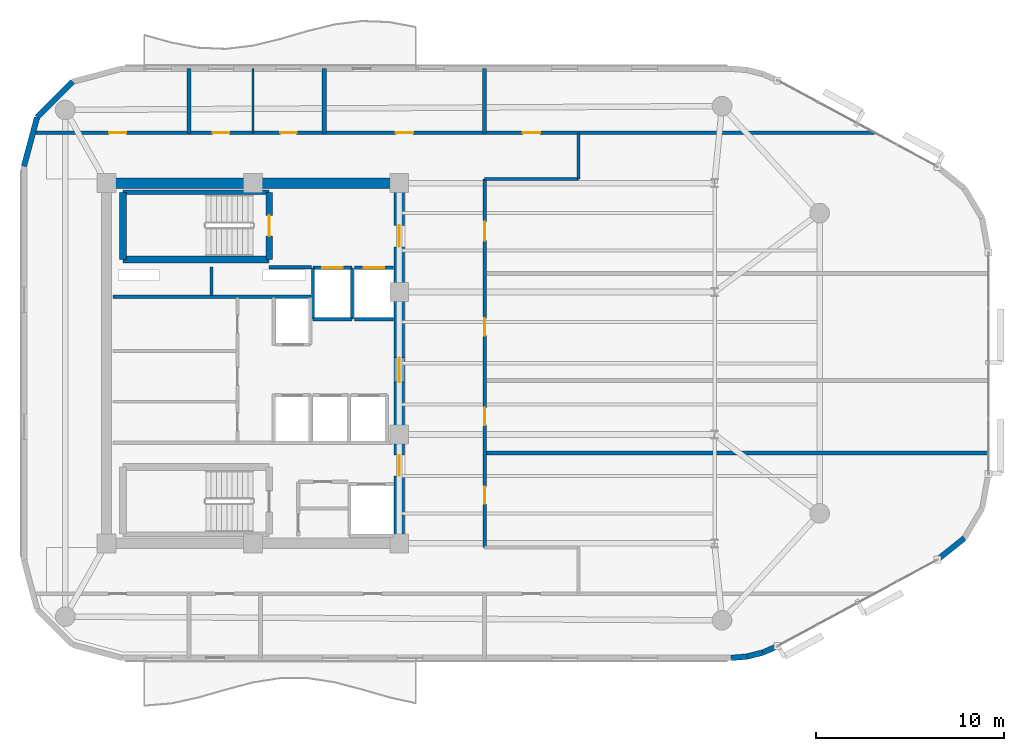
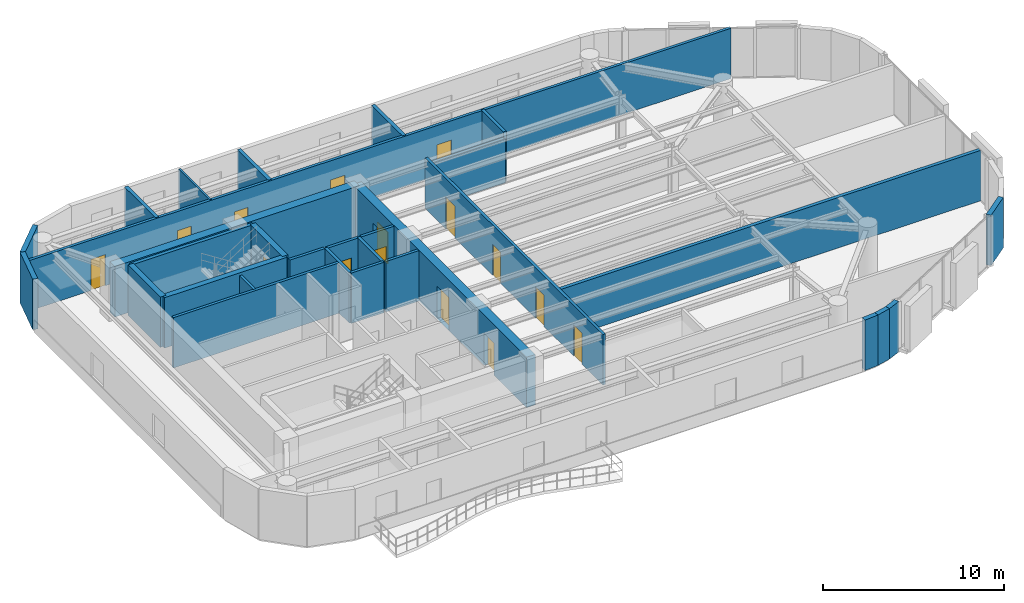
# One storey, part 10 of 13: 30 walls, 15 doors, 15 openings.
"""IFC4 building model written with IfcOpenShell, lengths in metres."""

from ifc_helpers import new_model, si_unit, direction, frame, frame_2d, origin, place, context, subcontext, project, spatial, rectangle, extrude, material, layer, layer_set, type_object, element, fill, save


model = new_model("IFC4")

# Units and contexts
model_context = context("Model", 3, precision=1e-05, world=origin(), true_north=direction((0.0, 1.0)))
body_context = subcontext(model_context, "Body", "Model", "MODEL_VIEW")
ifc_project = project(units=[si_unit("LENGTHUNIT", "METRE"), si_unit("AREAUNIT", "SQUARE_METRE"), si_unit("VOLUMEUNIT", "CUBIC_METRE"), si_unit("PLANEANGLEUNIT", "RADIAN"), si_unit("MASSUNIT", "GRAM", prefix="KILO")], contexts=[model_context])

# Site, building, storey
site_placement = place(None, origin())
site = spatial("IfcSite", under=ifc_project, at=site_placement, CompositionType="ELEMENT")
building_placement = place(site_placement, origin())
building = spatial("IfcBuilding", under=site, at=building_placement, Name="An Khanh Terracotta Commons", CompositionType="ELEMENT")
storey_placement = place(building_placement, frame((0.0, 0.0, 215.699951171875)))
storey = spatial("IfcBuildingStorey", under=building, at=storey_placement, Name="L56", CompositionType="ELEMENT", Elevation=215.699951171875)

# Wall
ifc_material_1 = material(Name="Concrete C50/60", Category="concrete")
ifc_layer_1 = layer(ifc_material_1, 0.550048828125, Name="Concrete C50/60")
ifc_layer_set_1 = layer_set([ifc_layer_1], Name="Concrete C50/60")
wall_type_1 = type_object("IfcWallType", Name="WALL-CORE-550", PredefinedType="SHEAR", material=ifc_layer_set_1)
wall_1_placement = place(storey_placement, frame((21.60009765625, 33.60009765625, 0.0), z_axis=(0.0, 0.0, 1.0), x_axis=(1.0, 0.0, 0.0)))
element("IfcWall", 1, at=wall_1_placement, inside=storey, type_object=wall_type_1, Name="L56 Core Wall CWALL-L56-N", PredefinedType="SHEAR", context=body_context, shape_type="SweptSolid", body=[
    extrude(rectangle(XDim=15.599853515625, YDim=0.550048828125, at=frame_2d((7.7998046875, 0.0))), origin(), (0.0, 0.0, 1.0), 3.400146484375),
])

# Wall, openings, doors
wall_2_placement = place(storey_placement, frame((37.199951171875, 14.39990234375, 0.0), z_axis=(0.0, 0.0, 1.0), x_axis=(0.0, 1.0, 0.0)))
wall_2 = element("IfcWall", 2, at=wall_2_placement, inside=storey, type_object=wall_type_1, Name="L56 Core Wall CWALL-L56-E", PredefinedType="SHEAR", context=body_context, shape_type="SweptSolid", body=[
    extrude(rectangle(XDim=19.2001953125, YDim=0.550048828125, at=frame_2d((9.60009765625, 0.0))), origin(), (0.0, 0.0, 1.0), 3.400146484375),
])
opening_1_placement = place(wall_2_placement, frame((15.800048828125, 0.0, 0.0)))
opening_1 = element("IfcOpeningElement", 3, at=opening_1_placement, cuts=wall_2, Name="Opening D-FFL", PredefinedType="OPENING", context=body_context, shape_type="SweptSolid", body=[
    extrude(rectangle(XDim=1.14990234375, YDim=2.14990234375, at=frame_2d((0.574951171875, 1.074951171875))), frame((0.0, 0.284912109375, 0.0), z_axis=(0.0, -1.0, 0.0), x_axis=(1.0, 0.0, 0.0)), (0.0, 0.0, 1.0), 0.570068359375),
])
opening_2_placement = place(wall_2_placement, frame((3.60009765625, 0.0, 0.0)))
opening_2 = element("IfcOpeningElement", 4, at=opening_2_placement, cuts=wall_2, Name="Opening D-ST", PredefinedType="OPENING", context=body_context, shape_type="SweptSolid", body=[
    extrude(rectangle(XDim=1.10009765625, YDim=2.14990234375, at=frame_2d((0.550048828125, 1.074951171875))), frame((0.0, 0.284912109375, 0.0), z_axis=(0.0, -1.0, 0.0), x_axis=(1.0, 0.0, 0.0)), (0.0, 0.0, 1.0), 0.570068359375),
])
opening_3_placement = place(wall_2_placement, frame((8.60009765625, 0.0, 0.0)))
opening_3 = element("IfcOpeningElement", 5, at=opening_3_placement, cuts=wall_2, Name="Opening D-COR", PredefinedType="OPENING", context=body_context, shape_type="SweptSolid", body=[
    extrude(rectangle(XDim=1.300048828125, YDim=2.199951171875, at=frame_2d((0.64990234375, 1.10009765625))), frame((0.0, 0.284912109375, 0.0), z_axis=(0.0, -1.0, 0.0), x_axis=(1.0, 0.0, 0.0)), (0.0, 0.0, 1.0), 0.570068359375),
])
ifc_material_2 = material(Name="Fire-Rated Glazed Steel Double Door", Category="steel")
door_type_1 = type_object("IfcDoorType", Name="DOOR-CORR-1300", OperationType="NOTDEFINED", PredefinedType="DOOR", material=ifc_material_2)
door_1_placement = place(opening_3_placement, origin())
door_1 = element("IfcDoor", 6, at=door_1_placement, inside=storey, type_object=door_type_1, Name="L56 Passenger Lift Lobby Double Door", OperationType="DOUBLE_DOOR_SINGLE_SWING", OverallHeight=2.199951171875, OverallWidth=1.300048828125, PredefinedType="DOOR", context=body_context, shape_type="SweptSolid", body=[
    extrude(rectangle(XDim=1.300048828125, YDim=2.199951171875, at=frame_2d((0.64990234375, 1.10009765625))), frame((0.0, 0.02490234375, 0.0), z_axis=(0.0, -1.0, 0.0), x_axis=(1.0, 0.0, 0.0)), (0.0, 0.0, 1.0), 0.050048828125),
])
fill(opening_3, door_1)
ifc_material_3 = material(Name="Fire-Rated Steel Leaf and Vision Panel", Category="steel")
door_type_2 = type_object("IfcDoorType", Name="DOOR-FFL-1150", OperationType="NOTDEFINED", PredefinedType="DOOR", material=ifc_material_3)
door_2_placement = place(opening_1_placement, origin())
door_2 = element("IfcDoor", 7, at=door_2_placement, inside=storey, type_object=door_type_2, Name="L56 Firefighting Lift Lobby Fire Door", OperationType="SINGLE_SWING_LEFT", OverallHeight=2.14990234375, OverallWidth=1.14990234375, PredefinedType="DOOR", context=body_context, shape_type="SweptSolid", body=[
    extrude(rectangle(XDim=1.14990234375, YDim=2.14990234375, at=frame_2d((0.574951171875, 1.074951171875))), frame((0.0, 0.02490234375, 0.0), z_axis=(0.0, -1.0, 0.0), x_axis=(1.0, 0.0, 0.0)), (0.0, 0.0, 1.0), 0.050048828125),
])
fill(opening_1, door_2)
ifc_material_4 = material(Name="Fire-Rated Steel Leaf and Frame", Category="steel")
door_type_3 = type_object("IfcDoorType", Name="DOOR-STAIR-1100", OperationType="NOTDEFINED", PredefinedType="DOOR", material=ifc_material_4)
door_3_placement = place(opening_2_placement, origin())
door_3 = element("IfcDoor", 8, at=door_3_placement, inside=storey, type_object=door_type_3, Name="L56 South Stair Lobby Fire Door", OperationType="SINGLE_SWING_RIGHT", OverallHeight=2.14990234375, OverallWidth=1.10009765625, PredefinedType="DOOR", context=body_context, shape_type="SweptSolid", body=[
    extrude(rectangle(XDim=1.10009765625, YDim=2.14990234375, at=frame_2d((0.550048828125, 1.074951171875))), frame((0.0, 0.02490234375, 0.0), z_axis=(0.0, -1.0, 0.0), x_axis=(1.0, 0.0, 0.0)), (0.0, 0.0, 1.0), 0.050048828125),
])
fill(opening_2, door_3)

# Walls
ifc_material_5 = material(Name="Fire-Rated Gypsum Board on Steel Stud", Category="steel")
ifc_layer_2 = layer(ifc_material_5, 0.179931640625, Name="Fire-Rated Gypsum Board on Steel Stud")
ifc_layer_set_2 = layer_set([ifc_layer_2], Name="Fire-Rated Gypsum Board on Steel Stud")
wall_type_2 = type_object("IfcWallType", Name="WALL-CORR-180", PredefinedType="PARTITIONING", material=ifc_layer_set_2)
wall_3_placement = place(storey_placement, frame((30.27001953125, 29.1201171875, 0.0), z_axis=(0.0, 0.0, 1.0), x_axis=(1.0, 0.0, 0.0)))
element("IfcWall", 9, at=wall_3_placement, inside=storey, type_object=wall_type_2, Name="L56 Core Wall FFLW-L56-S", PredefinedType="PARTITIONING", context=body_context, shape_type="SweptSolid", body=[
    extrude(rectangle(XDim=2.239990234375, YDim=0.179931640625, at=frame_2d((1.1201171875, 0.0))), origin(), (0.0, 0.0, 1.0), 3.400146484375),
])
wall_4_placement = place(storey_placement, frame((21.949951171875, 27.5400390625, 0.0), z_axis=(0.0, 0.0, 1.0), x_axis=(1.0, 0.0, 0.0)))
element("IfcWall", 10, at=wall_4_placement, inside=storey, type_object=wall_type_2, Name="L56 Core Wall RSRW-L56-S", PredefinedType="PARTITIONING", context=body_context, shape_type="SweptSolid", body=[
    extrude(rectangle(XDim=10.56005859375, YDim=0.179931640625, at=frame_2d((5.280029296875, 0.0))), origin(), (0.0, 0.0, 1.0), 3.400146484375),
])

# Wall, opening, door
wall_5_placement = place(storey_placement, frame((32.60009765625, 29.080078125, 0.0), z_axis=(0.0, 0.0, 1.0), x_axis=(1.0, 0.0, 0.0)))
wall_5 = element("IfcWall", 11, at=wall_5_placement, inside=storey, type_object=wall_type_2, Name="L56 Core Wall LSH-L56-FFL-01-N", PredefinedType="PARTITIONING", context=body_context, shape_type="SweptSolid", body=[
    extrude(rectangle(XDim=2.079833984375, YDim=0.179931640625, at=frame_2d((1.0400390625, 0.0))), origin(), (0.0, 0.0, 1.0), 3.400146484375),
])
opening_4_placement = place(wall_5_placement, frame((0.489990234375, 0.0, 0.0)))
opening_4 = element("IfcOpeningElement", 12, at=opening_4_placement, cuts=wall_5, Name="Opening LD-FFL-01-L56", PredefinedType="OPENING", context=body_context, shape_type="SweptSolid", body=[
    extrude(rectangle(XDim=1.10009765625, YDim=2.199951171875, at=frame_2d((0.550048828125, 1.10009765625))), frame((0.0, 0.099853515625, 0.0), z_axis=(0.0, -1.0, 0.0), x_axis=(1.0, 0.0, 0.0)), (0.0, 0.0, 1.0), 0.199951171875),
])
ifc_material_6 = material(Name="Brushed Stainless Steel Fire Landing Door", Category="steel")
door_type_4 = type_object("IfcDoorType", Name="DOOR-LD-FFL-1100", OperationType="NOTDEFINED", PredefinedType="DOOR", material=ifc_material_6)
door_4_placement = place(opening_4_placement, origin())
door_4 = element("IfcDoor", 13, at=door_4_placement, inside=storey, type_object=door_type_4, Name="L56 Lift FFL-01 Sliding Landing Door", OperationType="DOUBLE_DOOR_SLIDING", OverallHeight=2.199951171875, OverallWidth=1.10009765625, PredefinedType="DOOR", context=body_context, shape_type="SweptSolid", body=[
    extrude(rectangle(XDim=1.10009765625, YDim=2.199951171875, at=frame_2d((0.550048828125, 1.10009765625))), frame((0.0, 0.02490234375, 0.0), z_axis=(0.0, -1.0, 0.0), x_axis=(1.0, 0.0, 0.0)), (0.0, 0.0, 1.0), 0.050048828125),
])
fill(opening_4, door_4)

# Walls
wall_6_placement = place(storey_placement, frame((34.679931640625, 26.35009765625, 0.0), z_axis=(0.0, 0.0, 1.0), x_axis=(-1.0, 0.0, 0.0)))
element("IfcWall", 14, at=wall_6_placement, inside=storey, type_object=wall_type_2, Name="L56 Core Wall LSH-L56-FFL-01-S", PredefinedType="PARTITIONING", context=body_context, shape_type="SweptSolid", body=[
    extrude(rectangle(XDim=2.079833984375, YDim=0.179931640625, at=frame_2d((1.0400390625, 0.0))), origin(), (0.0, 0.0, 1.0), 3.400146484375),
])
for number, where, z_axis, x_axis, name in (
    (15, (34.679931640625, 26.35009765625, 0.0), (0.0, 0.0, 1.0), (0.0, 1.0, 0.0), "L56 Core Wall LSH-L56-FFL-01-E"),
    (16, (32.60009765625, 29.080078125, 0.0), (0.0, 0.0, 1.0), (0.0, -1.0, 0.0), "L56 Core Wall LSH-L56-FFL-01-W"),
):
    element("IfcWall", number, at=place(storey_placement, frame(where, z_axis=z_axis, x_axis=x_axis)), inside=storey, type_object=wall_type_2, Name=name, PredefinedType="PARTITIONING", context=body_context, shape_type="SweptSolid", body=[
        extrude(rectangle(XDim=2.72998046875, YDim=0.179931640625, at=frame_2d((1.364990234375, 0.0))), origin(), (0.0, 0.0, 1.0), 3.400146484375),
    ])

# Wall, opening, door
wall_7_placement = place(storey_placement, frame((34.820068359375, 29.080078125, 0.0), z_axis=(0.0, 0.0, 1.0), x_axis=(1.0, 0.0, 0.0)))
wall_7 = element("IfcWall", 17, at=wall_7_placement, inside=storey, type_object=wall_type_2, Name="L56 Core Wall LSH-L56-FFL-02-N", PredefinedType="PARTITIONING", context=body_context, shape_type="SweptSolid", body=[
    extrude(rectangle(XDim=2.079833984375, YDim=0.179931640625, at=frame_2d((1.0400390625, 0.0))), origin(), (0.0, 0.0, 1.0), 3.400146484375),
])
opening_5_placement = place(wall_7_placement, frame((0.489990234375, 0.0, 0.0)))
opening_5 = element("IfcOpeningElement", 18, at=opening_5_placement, cuts=wall_7, Name="Opening LD-FFL-02-L56", PredefinedType="OPENING", context=body_context, shape_type="SweptSolid", body=[
    extrude(rectangle(XDim=1.10009765625, YDim=2.199951171875, at=frame_2d((0.550048828125, 1.10009765625))), frame((0.0, 0.099853515625, 0.0), z_axis=(0.0, -1.0, 0.0), x_axis=(1.0, 0.0, 0.0)), (0.0, 0.0, 1.0), 0.199951171875),
])
door_5_placement = place(opening_5_placement, origin())
door_5 = element("IfcDoor", 19, at=door_5_placement, inside=storey, type_object=door_type_4, Name="L56 Lift FFL-02 Sliding Landing Door", OperationType="DOUBLE_DOOR_SLIDING", OverallHeight=2.199951171875, OverallWidth=1.10009765625, PredefinedType="DOOR", context=body_context, shape_type="SweptSolid", body=[
    extrude(rectangle(XDim=1.10009765625, YDim=2.199951171875, at=frame_2d((0.550048828125, 1.10009765625))), frame((0.0, 0.02490234375, 0.0), z_axis=(0.0, -1.0, 0.0), x_axis=(1.0, 0.0, 0.0)), (0.0, 0.0, 1.0), 0.050048828125),
])
fill(opening_5, door_5)

# Walls
wall_8_placement = place(storey_placement, frame((36.89990234375, 26.35009765625, 0.0), z_axis=(0.0, 0.0, 1.0), x_axis=(-1.0, 0.0, 0.0)))
element("IfcWall", 20, at=wall_8_placement, inside=storey, type_object=wall_type_2, Name="L56 Core Wall LSH-L56-FFL-02-S", PredefinedType="PARTITIONING", context=body_context, shape_type="SweptSolid", body=[
    extrude(rectangle(XDim=2.079833984375, YDim=0.179931640625, at=frame_2d((1.0400390625, 0.0))), origin(), (0.0, 0.0, 1.0), 3.400146484375),
])
wall_9_placement = place(storey_placement, frame((41.75, 33.820068359375, 0.0), z_axis=(0.0, 0.0, 1.0), x_axis=(1.0, 0.0, 0.0)))
element("IfcWall", 21, at=wall_9_placement, inside=storey, type_object=wall_type_2, Name="L56 Interior Partition IW-L56-E006", PredefinedType="PARTITIONING", context=body_context, shape_type="SweptSolid", body=[
    extrude(rectangle(XDim=5.0, YDim=0.179931640625, at=frame_2d((2.5, 0.0))), origin(), (0.0, 0.0, 1.0), 2.98193359375),
])

# Wall, openings, doors
wall_10_placement = place(storey_placement, frame((17.677001953125, 36.280029296875, 0.0), z_axis=(0.0, 0.0, 1.0), x_axis=(1.0, 0.0, 0.0)))
wall_10 = element("IfcWall", 22, at=wall_10_placement, inside=storey, type_object=wall_type_2, Name="L56 Interior Partition IW-L56-E007", PredefinedType="PARTITIONING", context=body_context, shape_type="SweptSolid", body=[
    extrude(rectangle(XDim=44.85302734375, YDim=0.179931640625, at=frame_2d((22.426513671875, 0.0))), origin(), (0.0, 0.0, 1.0), 3.400146484375),
])
opening_6_placement = place(wall_10_placement, frame((9.572998046875, 0.0, 0.0)))
opening_6 = element("IfcOpeningElement", 23, at=opening_6_placement, cuts=wall_10, Name="Opening D-WC", PredefinedType="OPENING", context=body_context, shape_type="SweptSolid", body=[
    extrude(rectangle(XDim=0.89990234375, YDim=2.10009765625, at=frame_2d((0.449951171875, 1.050048828125))), frame((0.0, 0.099853515625, 0.0), z_axis=(0.0, -1.0, 0.0), x_axis=(1.0, 0.0, 0.0)), (0.0, 0.0, 1.0), 0.199951171875),
])
opening_7_placement = place(wall_10_placement, frame((13.193115234375, 0.0, 0.0)))
opening_7 = element("IfcOpeningElement", 24, at=opening_7_placement, cuts=wall_10, Name="Opening D-ENS", PredefinedType="OPENING", context=body_context, shape_type="SweptSolid", body=[
    extrude(rectangle(XDim=0.860107421875, YDim=2.10009765625, at=frame_2d((0.43017578125, 1.050048828125))), frame((0.0, 0.099853515625, 0.0), z_axis=(0.0, -1.0, 0.0), x_axis=(1.0, 0.0, 0.0)), (0.0, 0.0, 1.0), 0.199951171875),
])
opening_8_placement = place(wall_10_placement, frame((26.113037109375, 0.0, 0.0)))
opening_8 = element("IfcOpeningElement", 25, at=opening_8_placement, cuts=wall_10, Name="Opening D-RM", PredefinedType="OPENING", context=body_context, shape_type="SweptSolid", body=[
    extrude(rectangle(XDim=0.919921875, YDim=2.10009765625, at=frame_2d((0.4599609375, 1.050048828125))), frame((0.0, 0.099853515625, 0.0), z_axis=(0.0, -1.0, 0.0), x_axis=(1.0, 0.0, 0.0)), (0.0, 0.0, 1.0), 0.199951171875),
])
opening_9_placement = place(wall_10_placement, frame((4.06298828125, 0.0, 0.0)))
opening_9 = element("IfcOpeningElement", 26, at=opening_9_placement, cuts=wall_10, Name="Opening D-RM", PredefinedType="OPENING", context=body_context, shape_type="SweptSolid", body=[
    extrude(rectangle(XDim=0.919921875, YDim=2.10009765625, at=frame_2d((0.4599609375, 1.050048828125))), frame((0.0, 0.099853515625, 0.0), z_axis=(0.0, -1.0, 0.0), x_axis=(1.0, 0.0, 0.0)), (0.0, 0.0, 1.0), 0.199951171875),
])
opening_10_placement = place(wall_10_placement, frame((19.337890625, 0.0, 0.0)))
opening_10 = element("IfcOpeningElement", 27, at=opening_10_placement, cuts=wall_10, Name="Opening D-RM", PredefinedType="OPENING", context=body_context, shape_type="SweptSolid", body=[
    extrude(rectangle(XDim=0.919921875, YDim=2.10009765625, at=frame_2d((0.4599609375, 1.050048828125))), frame((0.0, 0.099853515625, 0.0), z_axis=(0.0, -1.0, 0.0), x_axis=(1.0, 0.0, 0.0)), (0.0, 0.0, 1.0), 0.199951171875),
])
ifc_material_7 = material(Name="Moisture-Resistant Hardwood Timber Leaf", Category="wood")
door_type_5 = type_object("IfcDoorType", Name="DOOR-BATH-860", OperationType="NOTDEFINED", PredefinedType="DOOR", material=ifc_material_7)
door_6_placement = place(opening_7_placement, origin())
door_6 = element("IfcDoor", 28, at=door_6_placement, inside=storey, type_object=door_type_5, Name="L56 SHW Resident Shared Shower and Washroom Door", OperationType="SINGLE_SWING_LEFT", OverallHeight=2.10009765625, OverallWidth=0.860107421875, PredefinedType="DOOR", context=body_context, shape_type="SweptSolid", body=[
    extrude(rectangle(XDim=0.860107421875, YDim=2.10009765625, at=frame_2d((0.43017578125, 1.050048828125))), frame((0.0, 0.02490234375, 0.0), z_axis=(0.0, -1.0, 0.0), x_axis=(1.0, 0.0, 0.0)), (0.0, 0.0, 1.0), 0.050048828125),
])
fill(opening_7, door_6)
ifc_material_8 = material(Name="Engineered Hardwood Timber Leaf", Category="wood")
door_type_6 = type_object("IfcDoorType", Name="DOOR-INT-920", OperationType="NOTDEFINED", PredefinedType="DOOR", material=ifc_material_8)
door_7_placement = place(opening_8_placement, origin())
door_7 = element("IfcDoor", 29, at=door_7_placement, inside=storey, type_object=door_type_6, Name="L56 FANN Quiet Focus Office Door", OperationType="SINGLE_SWING_LEFT", OverallHeight=2.10009765625, OverallWidth=0.919921875, PredefinedType="DOOR", context=body_context, shape_type="SweptSolid", body=[
    extrude(rectangle(XDim=0.919921875, YDim=2.10009765625, at=frame_2d((0.4599609375, 1.050048828125))), frame((0.0, 0.02490234375, 0.0), z_axis=(0.0, -1.0, 0.0), x_axis=(1.0, 0.0, 0.0)), (0.0, 0.0, 1.0), 0.050048828125),
])
fill(opening_8, door_7)
door_8_placement = place(opening_9_placement, origin())
door_8 = element("IfcDoor", 30, at=door_8_placement, inside=storey, type_object=door_type_6, Name="L56 NW1 Collaborative Co-Working Office Door", OperationType="SINGLE_SWING_LEFT", OverallHeight=2.10009765625, OverallWidth=0.919921875, PredefinedType="DOOR", context=body_context, shape_type="SweptSolid", body=[
    extrude(rectangle(XDim=0.919921875, YDim=2.10009765625, at=frame_2d((0.4599609375, 1.050048828125))), frame((0.0, 0.02490234375, 0.0), z_axis=(0.0, -1.0, 0.0), x_axis=(1.0, 0.0, 0.0)), (0.0, 0.0, 1.0), 0.050048828125),
])
fill(opening_9, door_8)
door_9_placement = place(opening_10_placement, origin())
door_9 = element("IfcDoor", 31, at=door_9_placement, inside=storey, type_object=door_type_6, Name="L56 NWE Collaborative Co-Working Office Door", OperationType="SINGLE_SWING_RIGHT", OverallHeight=2.10009765625, OverallWidth=0.919921875, PredefinedType="DOOR", context=body_context, shape_type="SweptSolid", body=[
    extrude(rectangle(XDim=0.919921875, YDim=2.10009765625, at=frame_2d((0.4599609375, 1.050048828125))), frame((0.0, 0.02490234375, 0.0), z_axis=(0.0, -1.0, 0.0), x_axis=(1.0, 0.0, 0.0)), (0.0, 0.0, 1.0), 0.050048828125),
])
fill(opening_10, door_9)
ifc_material_9 = material(Name="Laminate Moisture-Resistant Timber Leaf", Category="wood")
door_type_7 = type_object("IfcDoorType", Name="DOOR-WC-900", OperationType="NOTDEFINED", PredefinedType="DOOR", material=ifc_material_9)
door_10_placement = place(opening_6_placement, origin())
door_10 = element("IfcDoor", 32, at=door_10_placement, inside=storey, type_object=door_type_7, Name="L56 AWC Accessible WC Door", OperationType="SINGLE_SWING_RIGHT", OverallHeight=2.10009765625, OverallWidth=0.89990234375, PredefinedType="DOOR", context=body_context, shape_type="SweptSolid", body=[
    extrude(rectangle(XDim=0.89990234375, YDim=2.10009765625, at=frame_2d((0.449951171875, 1.050048828125))), frame((0.0, 0.02490234375, 0.0), z_axis=(0.0, -1.0, 0.0), x_axis=(1.0, 0.0, 0.0)), (0.0, 0.0, 1.0), 0.050048828125),
])
fill(opening_6, door_10)

wall_11_placement = place(storey_placement, frame((41.75, 14.179931640625, 0.0), z_axis=(0.0, 0.0, 1.0), x_axis=(0.0, 1.0, 0.0)))
wall_11 = element("IfcWall", 33, at=wall_11_placement, inside=storey, type_object=wall_type_2, Name="L56 Interior Partition IW-L56-E014", PredefinedType="PARTITIONING", context=body_context, shape_type="SweptSolid", body=[
    extrude(rectangle(XDim=19.64013671875, YDim=0.179931640625, at=frame_2d((9.820068359375, 0.0))), origin(), (0.0, 0.0, 1.0), 3.400146484375),
])
opening_11_placement = place(wall_11_placement, frame((2.322021484375, 0.0, 0.0)))
opening_11 = element("IfcOpeningElement", 34, at=opening_11_placement, cuts=wall_11, Name="Opening D-RM", PredefinedType="OPENING", context=body_context, shape_type="SweptSolid", body=[
    extrude(rectangle(XDim=0.919921875, YDim=2.10009765625, at=frame_2d((0.4599609375, 1.050048828125))), frame((0.0, 0.099853515625, 0.0), z_axis=(0.0, -1.0, 0.0), x_axis=(1.0, 0.0, 0.0)), (0.0, 0.0, 1.0), 0.199951171875),
])
opening_12_placement = place(wall_11_placement, frame((6.51708984375, 0.0, 0.0)))
opening_12 = element("IfcOpeningElement", 35, at=opening_12_placement, cuts=wall_11, Name="Opening D-RM", PredefinedType="OPENING", context=body_context, shape_type="SweptSolid", body=[
    extrude(rectangle(XDim=0.919921875, YDim=2.10009765625, at=frame_2d((0.4599609375, 1.050048828125))), frame((0.0, 0.099853515625, 0.0), z_axis=(0.0, -1.0, 0.0), x_axis=(1.0, 0.0, 0.0)), (0.0, 0.0, 1.0), 0.199951171875),
])
opening_13_placement = place(wall_11_placement, frame((11.29296875, 0.0, 0.0)))
opening_13 = element("IfcOpeningElement", 36, at=opening_13_placement, cuts=wall_11, Name="Opening D-RM", PredefinedType="OPENING", context=body_context, shape_type="SweptSolid", body=[
    extrude(rectangle(XDim=0.919921875, YDim=2.10009765625, at=frame_2d((0.4599609375, 1.050048828125))), frame((0.0, 0.099853515625, 0.0), z_axis=(0.0, -1.0, 0.0), x_axis=(1.0, 0.0, 0.0)), (0.0, 0.0, 1.0), 0.199951171875),
])
opening_14_placement = place(wall_11_placement, frame((16.35791015625, 0.0, 0.0)))
opening_14 = element("IfcOpeningElement", 37, at=opening_14_placement, cuts=wall_11, Name="Opening D-UN", PredefinedType="OPENING", context=body_context, shape_type="SweptSolid", body=[
    extrude(rectangle(XDim=1.0, YDim=2.14990234375, at=frame_2d((0.5, 1.074951171875))), frame((0.0, 0.099853515625, 0.0), z_axis=(0.0, -1.0, 0.0), x_axis=(1.0, 0.0, 0.0)), (0.0, 0.0, 1.0), 0.199951171875),
])
door_11_placement = place(opening_11_placement, origin())
door_11 = element("IfcDoor", 38, at=door_11_placement, inside=storey, type_object=door_type_6, Name="L56 FAN1 Collaborative Co-Working Office Door", OperationType="SINGLE_SWING_LEFT", OverallHeight=2.10009765625, OverallWidth=0.919921875, PredefinedType="DOOR", context=body_context, shape_type="SweptSolid", body=[
    extrude(rectangle(XDim=0.919921875, YDim=2.10009765625, at=frame_2d((0.4599609375, 1.050048828125))), frame((0.0, 0.02490234375, 0.0), z_axis=(0.0, -1.0, 0.0), x_axis=(1.0, 0.0, 0.0)), (0.0, 0.0, 1.0), 0.050048828125),
])
fill(opening_11, door_11)
door_12_placement = place(opening_12_placement, origin())
door_12 = element("IfcDoor", 39, at=door_12_placement, inside=storey, type_object=door_type_6, Name="L56 FAN2 Collaborative Co-Working Office Door", OperationType="SINGLE_SWING_RIGHT", OverallHeight=2.10009765625, OverallWidth=0.919921875, PredefinedType="DOOR", context=body_context, shape_type="SweptSolid", body=[
    extrude(rectangle(XDim=0.919921875, YDim=2.10009765625, at=frame_2d((0.4599609375, 1.050048828125))), frame((0.0, 0.02490234375, 0.0), z_axis=(0.0, -1.0, 0.0), x_axis=(1.0, 0.0, 0.0)), (0.0, 0.0, 1.0), 0.050048828125),
])
fill(opening_12, door_12)
door_13_placement = place(opening_13_placement, origin())
door_13 = element("IfcDoor", 40, at=door_13_placement, inside=storey, type_object=door_type_6, Name="L56 FAN3 Collaborative Co-Working Office Door", OperationType="SINGLE_SWING_LEFT", OverallHeight=2.10009765625, OverallWidth=0.919921875, PredefinedType="DOOR", context=body_context, shape_type="SweptSolid", body=[
    extrude(rectangle(XDim=0.919921875, YDim=2.10009765625, at=frame_2d((0.4599609375, 1.050048828125))), frame((0.0, 0.02490234375, 0.0), z_axis=(0.0, -1.0, 0.0), x_axis=(1.0, 0.0, 0.0)), (0.0, 0.0, 1.0), 0.050048828125),
])
fill(opening_13, door_13)
ifc_material_10 = material(Name="Solid-Core Hardwood Acoustic Fire Door", Category="wood")
door_type_8 = type_object("IfcDoorType", Name="DOOR-UNIT-1000", OperationType="NOTDEFINED", PredefinedType="DOOR", material=ifc_material_10)
door_14_placement = place(opening_14_placement, origin())
door_14 = element("IfcDoor", 41, at=door_14_placement, inside=storey, type_object=door_type_8, Name="L56 FAN4 Yoga Wellness Studio Door", OperationType="SINGLE_SWING_RIGHT", OverallHeight=2.14990234375, OverallWidth=1.0, PredefinedType="DOOR", context=body_context, shape_type="SweptSolid", body=[
    extrude(rectangle(XDim=1.0, YDim=2.14990234375, at=frame_2d((0.5, 1.074951171875))), frame((0.0, 0.02490234375, 0.0), z_axis=(0.0, -1.0, 0.0), x_axis=(1.0, 0.0, 0.0)), (0.0, 0.0, 1.0), 0.050048828125),
])
fill(opening_14, door_14)

# Walls
wall_12_placement = place(storey_placement, frame((46.75, 33.820068359375, 0.0), z_axis=(0.0, 0.0, 1.0), x_axis=(0.0, 1.0, 0.0)))
element("IfcWall", 42, at=wall_12_placement, inside=storey, type_object=wall_type_2, Name="L56 Interior Partition IW-L56-E017", PredefinedType="PARTITIONING", context=body_context, shape_type="SweptSolid", body=[
    extrude(rectangle(XDim=2.4599609375, YDim=0.179931640625, at=frame_2d((1.22998046875, 0.0))), origin(), (0.0, 0.0, 1.0), 3.400146484375),
])
ifc_material_11 = material(Name="Precast concrete C40/50", Category="concrete")
ifc_layer_3 = layer(ifc_material_11, 0.300048828125, Name="Precast concrete C40/50")
ifc_layer_set_3 = layer_set([ifc_layer_3], Name="Precast concrete C40/50")
wall_type_3 = type_object("IfcWallType", Name="WALL-EXT-300", PredefinedType="SOLIDWALL", material=ifc_layer_set_3)
wall_13_placement = place(storey_placement, frame((54.885009765625, 8.300048828125, 0.0), z_axis=(0.0, 0.0, 1.0), x_axis=(0.996565355958, 0.082809971041, 0.0)))
element("IfcWall", 43, at=wall_13_placement, inside=storey, type_object=wall_type_3, Name="L56 Insulated Terracotta Exterior Wall 5", PredefinedType="SOLIDWALL", context=body_context, shape_type="SweptSolid", body=[
    extrude(rectangle(XDim=0.85791015625, YDim=0.300048828125, at=frame_2d((0.428955078125, 0.0))), origin(), (0.0, 0.0, 1.0), 3.400146484375),
])
wall_14_placement = place(storey_placement, frame((55.739990234375, 8.37109375, 0.0), z_axis=(0.0, 0.0, 1.0), x_axis=(0.969536346338, 0.244947490555, 0.0)))
element("IfcWall", 44, at=wall_14_placement, inside=storey, type_object=wall_type_3, Name="L56 Insulated Terracotta Exterior Wall 6", PredefinedType="SOLIDWALL", context=body_context, shape_type="SweptSolid", body=[
    extrude(rectangle(XDim=0.857177734375, YDim=0.300048828125, at=frame_2d((0.4287109375, 0.0))), origin(), (0.0, 0.0, 1.0), 3.400146484375),
])
wall_15_placement = place(storey_placement, frame((56.571044921875, 8.5810546875, 0.0), z_axis=(0.0, 0.0, 1.0), x_axis=(0.916085473636, 0.400983048261, 0.0)))
element("IfcWall", 45, at=wall_15_placement, inside=storey, type_object=wall_type_3, Name="L56 Insulated Terracotta Exterior Wall 7", PredefinedType="SOLIDWALL", context=body_context, shape_type="SweptSolid", body=[
    extrude(rectangle(XDim=0.85791015625, YDim=0.300048828125, at=frame_2d((0.428955078125, 0.0))), origin(), (0.0, 0.0, 1.0), 3.400146484375),
])
wall_16_placement = place(storey_placement, frame((65.8720703125, 13.52587890625, 0.0), z_axis=(0.0, 0.0, 1.0), x_axis=(0.780920189257, 0.624630817372, 0.0)))
element("IfcWall", 46, at=wall_16_placement, inside=storey, type_object=wall_type_3, Name="L56 Insulated Terracotta Exterior Wall 9", PredefinedType="SOLIDWALL", context=body_context, shape_type="SweptSolid", body=[
    extrude(rectangle(XDim=1.854248046875, YDim=0.300048828125, at=frame_2d((0.92724609375, 0.0))), origin(), (0.0, 0.0, 1.0), 3.400146484375),
])
wall_17_placement = place(storey_placement, frame((19.800048828125, 39.0029296875, 0.0), z_axis=(0.0, 0.0, 1.0), x_axis=(-0.707152139074, -0.70706142039, 0.0)))
element("IfcWall", 47, at=wall_17_placement, inside=storey, type_object=wall_type_3, Name="L56 Insulated Terracotta Exterior Wall 22", PredefinedType="SOLIDWALL", context=body_context, shape_type="SweptSolid", body=[
    extrude(rectangle(XDim=2.691162109375, YDim=0.300048828125, at=frame_2d((1.345703125, 0.0))), origin(), (0.0, 0.0, 1.0), 3.400146484375),
])
wall_18_placement = place(storey_placement, frame((17.89697265625, 37.10009765625, 0.0), z_axis=(0.0, 0.0, 1.0), x_axis=(-0.258932525951, -0.965895412042, 0.0)))
element("IfcWall", 48, at=wall_18_placement, inside=storey, type_object=wall_type_3, Name="L56 Insulated Terracotta Exterior Wall 23", PredefinedType="SOLIDWALL", context=body_context, shape_type="SweptSolid", body=[
    extrude(rectangle(XDim=2.69189453125, YDim=0.300048828125, at=frame_2d((1.345947265625, 0.0))), origin(), (0.0, 0.0, 1.0), 3.400146484375),
])
ifc_material_12 = material(Name="Acoustic Gypsum Board Partition")
ifc_layer_4 = layer(ifc_material_12, 0.14990234375, Name="Acoustic Gypsum Board Partition")
ifc_layer_set_4 = layer_set([ifc_layer_4], Name="Acoustic Gypsum Board Partition")
wall_type_4 = type_object("IfcWallType", Name="WALL-PART-150", PredefinedType="PARTITIONING", material=ifc_layer_set_4)
wall_19_placement = place(storey_placement, frame((27.199951171875, 27.60009765625, 0.0), z_axis=(0.0, 0.0, 1.0), x_axis=(0.0, 1.0, 0.0)))
element("IfcWall", 49, at=wall_19_placement, inside=storey, type_object=wall_type_4, Name="L56 Core Wall RSRW-L56-D1", PredefinedType="PARTITIONING", context=body_context, shape_type="SweptSolid", body=[
    extrude(rectangle(XDim=1.52001953125, YDim=0.14990234375, at=frame_2d((0.760009765625, 0.0))), origin(), (0.0, 0.0, 1.0), 3.400146484375),
])
ifc_material_13 = material(Name="Acoustic Double-Stud Gypsum and Mineral Wool")
ifc_layer_5 = layer(ifc_material_13, 0.219970703125, Name="Acoustic Double-Stud Gypsum and Mineral Wool")
ifc_layer_set_5 = layer_set([ifc_layer_5], Name="Acoustic Double-Stud Gypsum and Mineral Wool")
wall_type_5 = type_object("IfcWallType", Name="WALL-PARTY-220", PredefinedType="PARTITIONING", material=ifc_layer_set_5)
wall_20_placement = place(storey_placement, frame((22.47998046875, 33.110107421875, 0.0), z_axis=(0.0, 0.0, 1.0), x_axis=(1.0, 0.0, 0.0)))
element("IfcWall", 50, at=wall_20_placement, inside=storey, type_object=wall_type_5, Name="L56 Core Wall STW-L56-N-N", PredefinedType="PARTITIONING", context=body_context, shape_type="SweptSolid", body=[
    extrude(rectangle(XDim=7.7900390625, YDim=0.219970703125, at=frame_2d((3.89501953125, 0.0))), origin(), (0.0, 0.0, 1.0), 3.400146484375),
])
wall_21_placement = place(storey_placement, frame((41.75, 19.22412109375, 0.0), z_axis=(0.0, 0.0, 1.0), x_axis=(1.0, 0.0, 0.0)))
element("IfcWall", 51, at=wall_21_placement, inside=storey, type_object=wall_type_5, Name="L56 Interior Partition IW-L56-E003", PredefinedType="PARTITIONING", context=body_context, shape_type="SweptSolid", body=[
    extrude(rectangle(XDim=26.85009765625, YDim=0.219970703125, at=frame_2d((13.425048828125, 0.0))), origin(), (0.0, 0.0, 1.0), 3.400146484375),
])
for number, where, z_axis, x_axis, name in (
    (52, (26.0, 36.280029296875, 0.0), (0.0, 0.0, 1.0), (0.0, 1.0, 0.0), "L56 Interior Partition IW-L56-E009"),
    (53, (33.199951171875, 36.280029296875, 0.0), (0.0, 0.0, 1.0), (0.0, 1.0, 0.0), "L56 Interior Partition IW-L56-E012"),
    (54, (41.75, 36.280029296875, 0.0), (0.0, 0.0, 1.0), (0.0, 1.0, 0.0), "L56 Interior Partition IW-L56-E015"),
):
    element("IfcWall", number, at=place(storey_placement, frame(where, z_axis=z_axis, x_axis=x_axis)), inside=storey, type_object=wall_type_5, Name=name, PredefinedType="PARTITIONING", context=body_context, shape_type="SweptSolid", body=[
        extrude(rectangle(XDim=3.419921875, YDim=0.219970703125, at=frame_2d((1.7099609375, 0.0))), origin(), (0.0, 0.0, 1.0), 3.400146484375),
    ])
ifc_layer_6 = layer(ifc_material_1, 0.35009765625, Name="Concrete C50/60")
ifc_layer_set_6 = layer_set([ifc_layer_6], Name="Concrete C50/60")
wall_type_6 = type_object("IfcWallType", Name="WALL-SHAFT-350", PredefinedType="SOLIDWALL", material=ifc_layer_set_6)
wall_22_placement = place(storey_placement, frame((22.47998046875, 29.530029296875, 0.0), z_axis=(0.0, 0.0, 1.0), x_axis=(1.0, 0.0, 0.0)))
element("IfcWall", 55, at=wall_22_placement, inside=storey, type_object=wall_type_6, Name="L56 Core Wall STW-L56-N-S", PredefinedType="SOLIDWALL", context=body_context, shape_type="SweptSolid", body=[
    extrude(rectangle(XDim=7.7900390625, YDim=0.35009765625, at=frame_2d((3.89501953125, 0.0))), origin(), (0.0, 0.0, 1.0), 3.400146484375),
])
wall_23_placement = place(storey_placement, frame((22.47998046875, 29.530029296875, 0.0), z_axis=(0.0, 0.0, 1.0), x_axis=(0.0, 1.0, 0.0)))
element("IfcWall", 56, at=wall_23_placement, inside=storey, type_object=wall_type_6, Name="L56 Core Wall STW-L56-N-W", PredefinedType="SOLIDWALL", context=body_context, shape_type="SweptSolid", body=[
    extrude(rectangle(XDim=3.580078125, YDim=0.35009765625, at=frame_2d((1.7900390625, 0.0))), origin(), (0.0, 0.0, 1.0), 3.400146484375),
])

# Wall, opening, door
wall_24_placement = place(storey_placement, frame((30.27001953125, 29.530029296875, 0.0), z_axis=(0.0, 0.0, 1.0), x_axis=(0.0, 1.0, 0.0)))
wall_24 = element("IfcWall", 57, at=wall_24_placement, inside=storey, type_object=wall_type_6, Name="L56 Core Wall STW-L56-N-E", PredefinedType="SOLIDWALL", context=body_context, shape_type="SweptSolid", body=[
    extrude(rectangle(XDim=3.580078125, YDim=0.35009765625, at=frame_2d((1.7900390625, 0.0))), origin(), (0.0, 0.0, 1.0), 3.400146484375),
])
opening_15_placement = place(wall_24_placement, frame((1.25, 0.0, 0.0)))
opening_15 = element("IfcOpeningElement", 58, at=opening_15_placement, cuts=wall_24, Name="Opening D-ST", PredefinedType="OPENING", context=body_context, shape_type="SweptSolid", body=[
    extrude(rectangle(XDim=1.10009765625, YDim=2.14990234375, at=frame_2d((0.550048828125, 1.074951171875))), frame((0.0, 0.18505859375, 0.0), z_axis=(0.0, -1.0, 0.0), x_axis=(1.0, 0.0, 0.0)), (0.0, 0.0, 1.0), 0.3701171875),
])
door_15_placement = place(opening_15_placement, origin())
door_15 = element("IfcDoor", 59, at=door_15_placement, inside=storey, type_object=door_type_3, Name="L56 Stair ST-01 Fire Door", OperationType="SINGLE_SWING_LEFT", OverallHeight=2.14990234375, OverallWidth=1.10009765625, PredefinedType="DOOR", context=body_context, shape_type="SweptSolid", body=[
    extrude(rectangle(XDim=1.10009765625, YDim=2.14990234375, at=frame_2d((0.550048828125, 1.074951171875))), frame((0.0, 0.02490234375, 0.0), z_axis=(0.0, -1.0, 0.0), x_axis=(1.0, 0.0, 0.0)), (0.0, 0.0, 1.0), 0.050048828125),
])
fill(opening_15, door_15)

# Wall
ifc_material_14 = material(Name="Moisture-Resistant Cement Board Partition")
ifc_layer_7 = layer(ifc_material_14, 0.1201171875, Name="Moisture-Resistant Cement Board Partition")
ifc_layer_set_7 = layer_set([ifc_layer_7], Name="Moisture-Resistant Cement Board Partition")
wall_type_7 = type_object("IfcWallType", Name="WALL-WET-120", PredefinedType="PARTITIONING", material=ifc_layer_set_7)
wall_25_placement = place(storey_placement, frame((29.39990234375, 36.280029296875, 0.0), z_axis=(0.0, 0.0, 1.0), x_axis=(0.0, 1.0, 0.0)))
element("IfcWall", 60, at=wall_25_placement, inside=storey, type_object=wall_type_7, Name="L56 Interior Partition IW-L56-E010", PredefinedType="PARTITIONING", context=body_context, shape_type="SweptSolid", body=[
    extrude(rectangle(XDim=3.419921875, YDim=0.1201171875, at=frame_2d((1.7099609375, 0.0))), origin(), (0.0, 0.0, 1.0), 3.400146484375),
])

save(model, "model.ifc")
